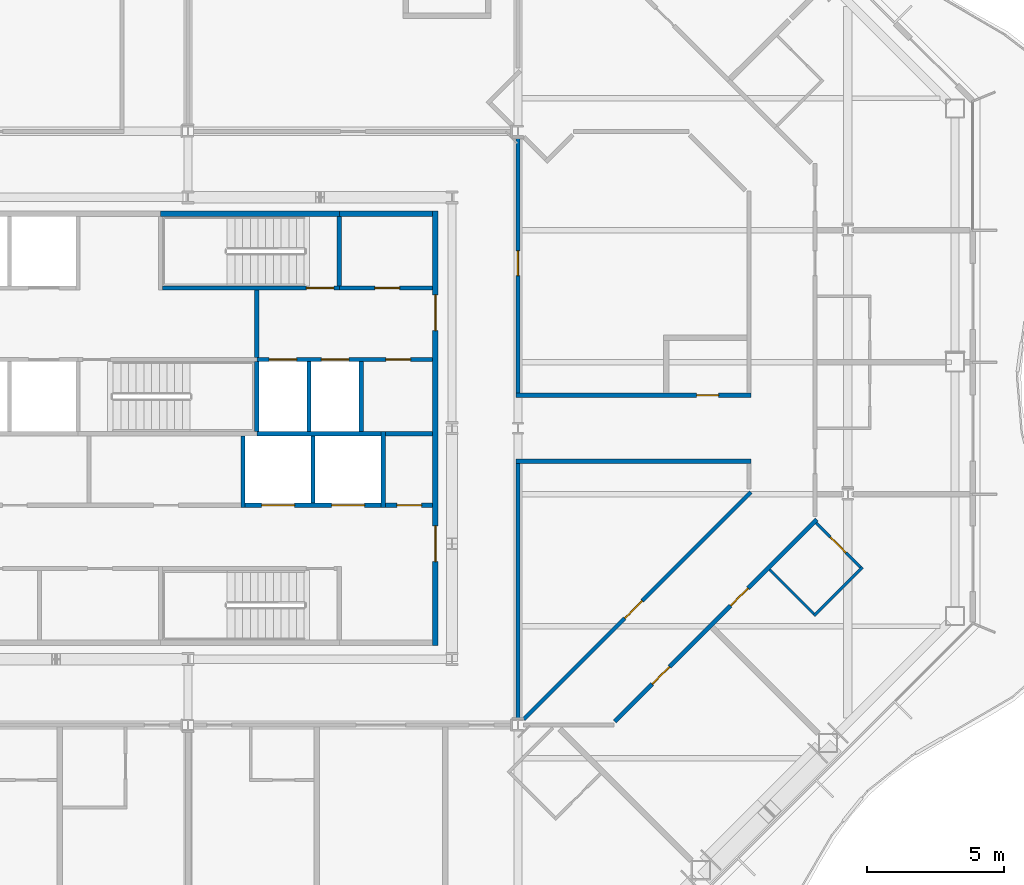
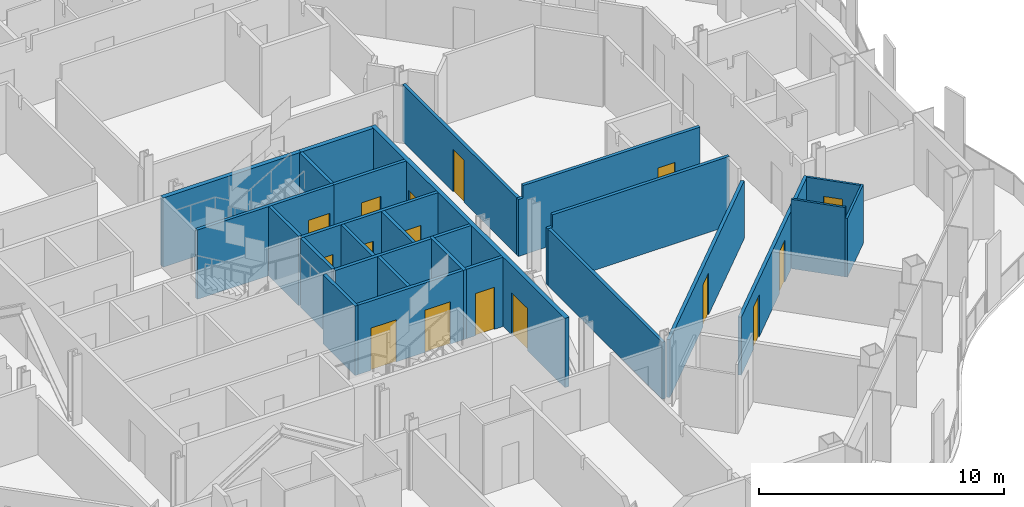
# One storey, part 10 of 21: 27 walls, 16 doors, 16 openings.
"""IFC4 building model written with IfcOpenShell, lengths in metres."""

from ifc_helpers import new_model, si_unit, direction, frame, frame_2d, origin, place, context, subcontext, project, spatial, polyline, rectangle, outline, extrude, material, layer, layer_set, type_object, element, fill, save


model = new_model("IFC4")

# Units and contexts
model_context = context("Model", 3, precision=1e-05, world=origin(), true_north=direction((0.0, 1.0)))
body_context = subcontext(model_context, "Body", "Model", "MODEL_VIEW")
ifc_project = project(units=[si_unit("LENGTHUNIT", "METRE"), si_unit("AREAUNIT", "SQUARE_METRE"), si_unit("VOLUMEUNIT", "CUBIC_METRE"), si_unit("PLANEANGLEUNIT", "RADIAN"), si_unit("MASSUNIT", "GRAM", prefix="KILO")], contexts=[model_context])

# Site, building, storey
site_placement = place(None, origin())
site = spatial("IfcSite", under=ifc_project, at=site_placement, CompositionType="ELEMENT")
building_placement = place(site_placement, origin())
building = spatial("IfcBuilding", under=site, at=building_placement, Name="Cairn Pilgrim Tower", CompositionType="ELEMENT")
storey_placement = place(building_placement, frame((0.0, 0.0, 136.199951171875)))
storey = spatial("IfcBuildingStorey", under=building, at=storey_placement, Name="L33", CompositionType="ELEMENT", Elevation=136.199951171875)

# Wall
ifc_material_1 = material(Name="Concrete C32/40", Category="concrete")
ifc_layer_1 = layer(ifc_material_1, 0.199951171875)
ifc_layer_set_1 = layer_set([ifc_layer_1], Name="CORE OUTER WALL 200 EI 120")
wall_type_1 = type_object("IfcWallType", Name="CORE OUTER WALL 200 EI 120", PredefinedType="SOLIDWALL", material=ifc_layer_set_1)
wall_1_placement = place(storey_placement, frame((12.699951171875, 10.199951171875, 0.0), z_axis=(0.0, 0.0, 1.0), x_axis=(1.0, 0.0, 0.0)))
element("IfcWall", 1, at=wall_1_placement, inside=storey, type_object=wall_type_1, Name="CW:L33:H12-3", PredefinedType="SOLIDWALL", context=body_context, shape_type="SweptSolid", body=[
    extrude(rectangle(XDim=3.400146484375, YDim=0.199951171875, at=frame_2d((1.7001953125, 0.0))), origin(), (0.0, 0.0, 1.0), 3.449951171875),
])

# Wall, openings, doors
wall_2_placement = place(storey_placement, frame((16.199951171875, -5.5, 0.0), z_axis=(0.0, 0.0, 1.0), x_axis=(0.0, 1.0, 0.0)))
wall_2 = element("IfcWall", 2, at=wall_2_placement, inside=storey, type_object=wall_type_1, Name="CW:L33:V31", PredefinedType="SOLIDWALL", context=body_context, shape_type="SweptSolid", body=[
    extrude(rectangle(XDim=15.800048828125, YDim=0.199951171875, at=frame_2d((7.89990234375, 0.0))), origin(), (0.0, 0.0, 1.0), 3.449951171875),
])
opening_1_placement = place(wall_2_placement, frame((3.050048828125, 0.0, 0.0)))
opening_1 = element("IfcOpeningElement", 3, at=opening_1_placement, cuts=wall_2, Name="Opening CD-E1", PredefinedType="OPENING", context=body_context, shape_type="SweptSolid", body=[
    extrude(rectangle(XDim=1.300048828125, YDim=2.10009765625, at=frame_2d((0.64990234375, 1.050048828125))), frame((0.0, 0.10986328125, 0.0), z_axis=(0.0, -1.0, 0.0), x_axis=(1.0, 0.0, 0.0)), (0.0, 0.0, 1.0), 0.219970703125),
])
opening_2_placement = place(wall_2_placement, frame((11.449951171875, 0.0, 0.0)))
opening_2 = element("IfcOpeningElement", 4, at=opening_2_placement, cuts=wall_2, Name="Opening CD-E2", PredefinedType="OPENING", context=body_context, shape_type="SweptSolid", body=[
    extrude(rectangle(XDim=1.300048828125, YDim=2.10009765625, at=frame_2d((0.64990234375, 1.050048828125))), frame((0.0, 0.10986328125, 0.0), z_axis=(0.0, -1.0, 0.0), x_axis=(1.0, 0.0, 0.0)), (0.0, 0.0, 1.0), 0.219970703125),
])
ifc_material_2 = material(Name="Painted steel", Category="steel")
door_type_1 = type_object("IfcDoorType", Name="CORE LOBBY DOOR 1300x2100", OperationType="DOUBLE_DOOR_SINGLE_SWING", PredefinedType="DOOR", material=ifc_material_2)
door_1_placement = place(opening_1_placement, origin())
door_1 = element("IfcDoor", 5, at=door_1_placement, inside=storey, type_object=door_type_1, Name="CD-E1", OperationType="DOUBLE_DOOR_SINGLE_SWING", OverallHeight=2.10009765625, OverallWidth=1.300048828125, PredefinedType="DOOR", context=body_context, shape_type="SweptSolid", body=[
    extrude(rectangle(XDim=1.300048828125, YDim=2.10009765625, at=frame_2d((0.64990234375, 1.050048828125))), frame((0.0, 0.02490234375, 0.0), z_axis=(0.0, -1.0, 0.0), x_axis=(1.0, 0.0, 0.0)), (0.0, 0.0, 1.0), 0.050048828125),
])
fill(opening_1, door_1)
door_2_placement = place(opening_2_placement, origin())
door_2 = element("IfcDoor", 6, at=door_2_placement, inside=storey, type_object=door_type_1, Name="CD-E2", OperationType="DOUBLE_DOOR_SINGLE_SWING", OverallHeight=2.10009765625, OverallWidth=1.300048828125, PredefinedType="DOOR", context=body_context, shape_type="SweptSolid", body=[
    extrude(rectangle(XDim=1.300048828125, YDim=2.10009765625, at=frame_2d((0.64990234375, 1.050048828125))), frame((0.0, 0.02490234375, 0.0), z_axis=(0.0, -1.0, 0.0), x_axis=(1.0, 0.0, 0.0)), (0.0, 0.0, 1.0), 0.050048828125),
])
fill(opening_2, door_2)

# Wall, opening, door
ifc_layer_2 = layer(ifc_material_1, 0.14990234375)
ifc_layer_set_2 = layer_set([ifc_layer_2], Name="CORE PARTITION 150 EI 60")
wall_type_2 = type_object("IfcWallType", Name="CORE PARTITION 150 EI 60", PredefinedType="PARTITIONING", material=ifc_layer_set_2)
wall_3_placement = place(storey_placement, frame((14.375, -0.39990234375, 0.0), z_axis=(0.0, 0.0, 1.0), x_axis=(1.0, 0.0, 0.0)))
wall_3 = element("IfcWall", 7, at=wall_3_placement, inside=storey, type_object=wall_type_2, Name="CW:L33:H06", PredefinedType="PARTITIONING", context=body_context, shape_type="SweptSolid", body=[
    extrude(rectangle(XDim=1.72509765625, YDim=0.14990234375, at=frame_2d((0.862548828125, 0.0))), origin(), (0.0, 0.0, 1.0), 3.449951171875),
])
opening_3_placement = place(wall_3_placement, frame((0.425048828125, 0.0, 0.0)))
opening_3 = element("IfcOpeningElement", 8, at=opening_3_placement, cuts=wall_3, Name="Opening RD-R2E", PredefinedType="OPENING", context=body_context, shape_type="SweptSolid", body=[
    extrude(rectangle(XDim=0.89990234375, YDim=2.10009765625, at=frame_2d((0.449951171875, 1.050048828125))), frame((0.0, 0.0849609375, 0.0), z_axis=(0.0, -1.0, 0.0), x_axis=(1.0, 0.0, 0.0)), (0.0, 0.0, 1.0), 0.169921875),
])
door_type_2 = type_object("IfcDoorType", Name="SERVICE ROOM DOOR 900x2100", OperationType="SINGLE_SWING_LEFT", PredefinedType="DOOR", material=ifc_material_2)
door_3_placement = place(opening_3_placement, origin())
door_3 = element("IfcDoor", 9, at=door_3_placement, inside=storey, type_object=door_type_2, Name="RD-R2E", OperationType="SINGLE_SWING_RIGHT", OverallHeight=2.10009765625, OverallWidth=0.89990234375, PredefinedType="DOOR", context=body_context, shape_type="SweptSolid", body=[
    extrude(rectangle(XDim=0.89990234375, YDim=2.10009765625, at=frame_2d((0.449951171875, 1.050048828125))), frame((0.0, 0.02490234375, 0.0), z_axis=(0.0, -1.0, 0.0), x_axis=(1.0, 0.0, 0.0)), (0.0, 0.0, 1.0), 0.050048828125),
])
fill(opening_3, door_3)

# Wall
wall_4_placement = place(storey_placement, frame((14.375, 2.199951171875, 0.0), z_axis=(0.0, 0.0, 1.0), x_axis=(1.0, 0.0, 0.0)))
element("IfcWall", 10, at=wall_4_placement, inside=storey, type_object=wall_type_2, Name="CW:L33:H08", PredefinedType="PARTITIONING", context=body_context, shape_type="SweptSolid", body=[
    extrude(rectangle(XDim=1.72509765625, YDim=0.14990234375, at=frame_2d((0.862548828125, 0.0))), origin(), (0.0, 0.0, 1.0), 3.449951171875),
])

# Wall, openings, doors
ifc_layer_3 = layer(ifc_material_1, 0.14990234375)
ifc_layer_set_3 = layer_set([ifc_layer_3], Name="CORE SHAFT WALL 150 EI 120")
wall_type_3 = type_object("IfcWallType", Name="CORE SHAFT WALL 150 EI 120", PredefinedType="SOLIDWALL", material=ifc_layer_set_3)
wall_5_placement = place(storey_placement, frame((9.27490234375, -0.39990234375, 0.0), z_axis=(0.0, 0.0, 1.0), x_axis=(1.0, 0.0, 0.0)))
wall_5 = element("IfcWall", 11, at=wall_5_placement, inside=storey, type_object=wall_type_3, Name="CW:L33:H05", PredefinedType="SOLIDWALL", context=body_context, shape_type="SweptSolid", body=[
    extrude(rectangle(XDim=4.9501953125, YDim=0.14990234375, at=frame_2d((2.47509765625, 0.0))), origin(), (0.0, 0.0, 1.0), 3.449951171875),
])
opening_4_placement = place(wall_5_placement, frame((0.60009765625, 0.0, 0.0)))
opening_4 = element("IfcOpeningElement", 12, at=opening_4_placement, cuts=wall_5, Name="Opening LD-SV1", PredefinedType="OPENING", context=body_context, shape_type="SweptSolid", body=[
    extrude(rectangle(XDim=1.199951171875, YDim=2.10009765625, at=frame_2d((0.60009765625, 1.050048828125))), frame((0.0, 0.0849609375, 0.0), z_axis=(0.0, -1.0, 0.0), x_axis=(1.0, 0.0, 0.0)), (0.0, 0.0, 1.0), 0.169921875),
])
opening_5_placement = place(wall_5_placement, frame((3.14990234375, 0.0, 0.0)))
opening_5 = element("IfcOpeningElement", 13, at=opening_5_placement, cuts=wall_5, Name="Opening LD-SV2", PredefinedType="OPENING", context=body_context, shape_type="SweptSolid", body=[
    extrude(rectangle(XDim=1.199951171875, YDim=2.10009765625, at=frame_2d((0.60009765625, 1.050048828125))), frame((0.0, 0.0849609375, 0.0), z_axis=(0.0, -1.0, 0.0), x_axis=(1.0, 0.0, 0.0)), (0.0, 0.0, 1.0), 0.169921875),
])
ifc_material_3 = material(Name="Stainless steel", Category="steel")
door_type_3 = type_object("IfcDoorType", Name="LIFT LANDING DOOR 1200x2100", OperationType="DOUBLE_DOOR_SLIDING", PredefinedType="DOOR", material=ifc_material_3)
door_4_placement = place(opening_4_placement, origin())
door_4 = element("IfcDoor", 14, at=door_4_placement, inside=storey, type_object=door_type_3, Name="LANDING DOOR SV1", OperationType="DOUBLE_DOOR_SLIDING", OverallHeight=2.10009765625, OverallWidth=1.199951171875, PredefinedType="DOOR", context=body_context, shape_type="SweptSolid", body=[
    extrude(rectangle(XDim=1.199951171875, YDim=2.10009765625, at=frame_2d((0.60009765625, 1.050048828125))), frame((0.0, 0.02490234375, 0.0), z_axis=(0.0, -1.0, 0.0), x_axis=(1.0, 0.0, 0.0)), (0.0, 0.0, 1.0), 0.050048828125),
])
fill(opening_4, door_4)
door_5_placement = place(opening_5_placement, origin())
door_5 = element("IfcDoor", 15, at=door_5_placement, inside=storey, type_object=door_type_3, Name="LANDING DOOR SV2", OperationType="DOUBLE_DOOR_SLIDING", OverallHeight=2.10009765625, OverallWidth=1.199951171875, PredefinedType="DOOR", context=body_context, shape_type="SweptSolid", body=[
    extrude(rectangle(XDim=1.199951171875, YDim=2.10009765625, at=frame_2d((0.60009765625, 1.050048828125))), frame((0.0, 0.02490234375, 0.0), z_axis=(0.0, -1.0, 0.0), x_axis=(1.0, 0.0, 0.0)), (0.0, 0.0, 1.0), 0.050048828125),
])
fill(opening_5, door_5)

# Wall
wall_6_placement = place(storey_placement, frame((9.699951171875, 2.199951171875, 0.0), z_axis=(0.0, 0.0, 1.0), x_axis=(1.0, 0.0, 0.0)))
element("IfcWall", 16, at=wall_6_placement, inside=storey, type_object=wall_type_3, Name="CW:L33:H07-3", PredefinedType="SOLIDWALL", context=body_context, shape_type="SweptSolid", body=[
    extrude(rectangle(XDim=4.525146484375, YDim=0.14990234375, at=frame_2d((2.2626953125, 0.0))), origin(), (0.0, 0.0, 1.0), 3.449951171875),
])

# Wall, openings, doors
wall_7_placement = place(storey_placement, frame((9.699951171875, 4.89990234375, 0.0), z_axis=(0.0, 0.0, 1.0), x_axis=(1.0, 0.0, 0.0)))
wall_7 = element("IfcWall", 17, at=wall_7_placement, inside=storey, type_object=wall_type_3, Name="CW:L33:H09-3", PredefinedType="SOLIDWALL", context=body_context, shape_type="SweptSolid", body=[
    extrude(rectangle(XDim=6.400146484375, YDim=0.14990234375, at=frame_2d((3.2001953125, 0.0))), origin(), (0.0, 0.0, 1.0), 3.449951171875),
])
opening_6_placement = place(wall_7_placement, frame((0.449951171875, 0.0, 0.0)))
opening_6 = element("IfcOpeningElement", 18, at=opening_6_placement, cuts=wall_7, Name="Opening LD-FF1", PredefinedType="OPENING", context=body_context, shape_type="SweptSolid", body=[
    extrude(rectangle(XDim=1.0, YDim=2.10009765625, at=frame_2d((0.5, 1.050048828125))), frame((0.0, 0.0849609375, 0.0), z_axis=(0.0, -1.0, 0.0), x_axis=(1.0, 0.0, 0.0)), (0.0, 0.0, 1.0), 0.169921875),
])
opening_7_placement = place(wall_7_placement, frame((2.35009765625, 0.0, 0.0)))
opening_7 = element("IfcOpeningElement", 19, at=opening_7_placement, cuts=wall_7, Name="Opening LD-FF2", PredefinedType="OPENING", context=body_context, shape_type="SweptSolid", body=[
    extrude(rectangle(XDim=1.0, YDim=2.10009765625, at=frame_2d((0.5, 1.050048828125))), frame((0.0, 0.0849609375, 0.0), z_axis=(0.0, -1.0, 0.0), x_axis=(1.0, 0.0, 0.0)), (0.0, 0.0, 1.0), 0.169921875),
])
opening_8_placement = place(wall_7_placement, frame((4.699951171875, 0.0, 0.0)))
opening_8 = element("IfcOpeningElement", 20, at=opening_8_placement, cuts=wall_7, Name="Opening RD-R3E", PredefinedType="OPENING", context=body_context, shape_type="SweptSolid", body=[
    extrude(rectangle(XDim=0.89990234375, YDim=2.10009765625, at=frame_2d((0.449951171875, 1.050048828125))), frame((0.0, 0.0849609375, 0.0), z_axis=(0.0, -1.0, 0.0), x_axis=(1.0, 0.0, 0.0)), (0.0, 0.0, 1.0), 0.169921875),
])
door_type_4 = type_object("IfcDoorType", Name="LIFT LANDING DOOR FIRE 1000x2100", OperationType="DOUBLE_DOOR_SLIDING", PredefinedType="DOOR", material=ifc_material_3)
door_6_placement = place(opening_6_placement, origin())
door_6 = element("IfcDoor", 21, at=door_6_placement, inside=storey, type_object=door_type_4, Name="LANDING DOOR FF1", OperationType="DOUBLE_DOOR_SLIDING", OverallHeight=2.10009765625, OverallWidth=1.0, PredefinedType="DOOR", context=body_context, shape_type="SweptSolid", body=[
    extrude(rectangle(XDim=1.0, YDim=2.10009765625, at=frame_2d((0.5, 1.050048828125))), frame((0.0, 0.02490234375, 0.0), z_axis=(0.0, -1.0, 0.0), x_axis=(1.0, 0.0, 0.0)), (0.0, 0.0, 1.0), 0.050048828125),
])
fill(opening_6, door_6)
door_7_placement = place(opening_7_placement, origin())
door_7 = element("IfcDoor", 22, at=door_7_placement, inside=storey, type_object=door_type_4, Name="LANDING DOOR FF2", OperationType="DOUBLE_DOOR_SLIDING", OverallHeight=2.10009765625, OverallWidth=1.0, PredefinedType="DOOR", context=body_context, shape_type="SweptSolid", body=[
    extrude(rectangle(XDim=1.0, YDim=2.10009765625, at=frame_2d((0.5, 1.050048828125))), frame((0.0, 0.02490234375, 0.0), z_axis=(0.0, -1.0, 0.0), x_axis=(1.0, 0.0, 0.0)), (0.0, 0.0, 1.0), 0.050048828125),
])
fill(opening_7, door_7)
door_8_placement = place(opening_8_placement, origin())
door_8 = element("IfcDoor", 23, at=door_8_placement, inside=storey, type_object=door_type_2, Name="RD-R3E", OperationType="SINGLE_SWING_LEFT", OverallHeight=2.10009765625, OverallWidth=0.89990234375, PredefinedType="DOOR", context=body_context, shape_type="SweptSolid", body=[
    extrude(rectangle(XDim=0.89990234375, YDim=2.10009765625, at=frame_2d((0.449951171875, 1.050048828125))), frame((0.0, 0.02490234375, 0.0), z_axis=(0.0, -1.0, 0.0), x_axis=(1.0, 0.0, 0.0)), (0.0, 0.0, 1.0), 0.050048828125),
])
fill(opening_8, door_8)

# Wall, opening, door
wall_8_placement = place(storey_placement, frame((12.699951171875, 7.5, 0.0), z_axis=(0.0, 0.0, 1.0), x_axis=(1.0, 0.0, 0.0)))
wall_8 = element("IfcWall", 24, at=wall_8_placement, inside=storey, type_object=wall_type_3, Name="CW:L33:H11-2", PredefinedType="SOLIDWALL", context=body_context, shape_type="SweptSolid", body=[
    extrude(rectangle(XDim=3.400146484375, YDim=0.14990234375, at=frame_2d((1.7001953125, 0.0))), origin(), (0.0, 0.0, 1.0), 3.449951171875),
])
opening_9_placement = place(wall_8_placement, frame((1.300048828125, 0.0, 0.0)))
opening_9 = element("IfcOpeningElement", 25, at=opening_9_placement, cuts=wall_8, Name="Opening RD-R4E", PredefinedType="OPENING", context=body_context, shape_type="SweptSolid", body=[
    extrude(rectangle(XDim=0.89990234375, YDim=2.10009765625, at=frame_2d((0.449951171875, 1.050048828125))), frame((0.0, 0.0849609375, 0.0), z_axis=(0.0, -1.0, 0.0), x_axis=(1.0, 0.0, 0.0)), (0.0, 0.0, 1.0), 0.169921875),
])
door_9_placement = place(opening_9_placement, origin())
door_9 = element("IfcDoor", 26, at=door_9_placement, inside=storey, type_object=door_type_2, Name="RD-R4E", OperationType="SINGLE_SWING_RIGHT", OverallHeight=2.10009765625, OverallWidth=0.89990234375, PredefinedType="DOOR", context=body_context, shape_type="SweptSolid", body=[
    extrude(rectangle(XDim=0.89990234375, YDim=2.10009765625, at=frame_2d((0.449951171875, 1.050048828125))), frame((0.0, 0.02490234375, 0.0), z_axis=(0.0, -1.0, 0.0), x_axis=(1.0, 0.0, 0.0)), (0.0, 0.0, 1.0), 0.050048828125),
])
fill(opening_9, door_9)

# Walls
wall_9_placement = place(storey_placement, frame((9.199951171875, -0.47509765625, 0.0), z_axis=(0.0, 0.0, 1.0), x_axis=(0.0, 1.0, 0.0)))
element("IfcWall", 27, at=wall_9_placement, inside=storey, type_object=wall_type_3, Name="CW:L33:V22", PredefinedType="SOLIDWALL", context=body_context, shape_type="SweptSolid", body=[
    extrude(rectangle(XDim=2.60009765625, YDim=0.14990234375, at=frame_2d((1.300048828125, 0.0))), origin(), (0.0, 0.0, 1.0), 3.449951171875),
])
wall_10_placement = place(storey_placement, frame((9.699951171875, 4.97509765625, 0.0), z_axis=(0.0, 0.0, 1.0), x_axis=(0.0, 1.0, 0.0)))
element("IfcWall", 28, at=wall_10_placement, inside=storey, type_object=wall_type_3, Name="CW:L33:V24", PredefinedType="SOLIDWALL", context=body_context, shape_type="SweptSolid", body=[
    extrude(rectangle(XDim=2.449951171875, YDim=0.14990234375, at=frame_2d((1.22509765625, 0.0))), origin(), (0.0, 0.0, 1.0), 3.449951171875),
])
wall_11_placement = place(storey_placement, frame((11.60009765625, 2.27490234375, 0.0), z_axis=(0.0, 0.0, 1.0), x_axis=(0.0, 1.0, 0.0)))
element("IfcWall", 29, at=wall_11_placement, inside=storey, type_object=wall_type_3, Name="CW:L33:V25", PredefinedType="SOLIDWALL", context=body_context, shape_type="SweptSolid", body=[
    extrude(rectangle(XDim=2.550048828125, YDim=0.14990234375, at=frame_2d((1.27490234375, 0.0))), origin(), (0.0, 0.0, 1.0), 3.449951171875),
])
wall_12_placement = place(storey_placement, frame((11.75, -0.324951171875, 0.0), z_axis=(0.0, 0.0, 1.0), x_axis=(0.0, 1.0, 0.0)))
element("IfcWall", 30, at=wall_12_placement, inside=storey, type_object=wall_type_3, Name="CW:L33:V26", PredefinedType="SOLIDWALL", context=body_context, shape_type="SweptSolid", body=[
    extrude(rectangle(XDim=2.449951171875, YDim=0.14990234375, at=frame_2d((1.22509765625, 0.0))), origin(), (0.0, 0.0, 1.0), 3.449951171875),
])
wall_13_placement = place(storey_placement, frame((13.5, 2.27490234375, 0.0), z_axis=(0.0, 0.0, 1.0), x_axis=(0.0, 1.0, 0.0)))
element("IfcWall", 31, at=wall_13_placement, inside=storey, type_object=wall_type_3, Name="CW:L33:V29", PredefinedType="SOLIDWALL", context=body_context, shape_type="SweptSolid", body=[
    extrude(rectangle(XDim=2.550048828125, YDim=0.14990234375, at=frame_2d((1.27490234375, 0.0))), origin(), (0.0, 0.0, 1.0), 3.449951171875),
])
wall_14_placement = place(storey_placement, frame((14.300048828125, -0.47509765625, 0.0), z_axis=(0.0, 0.0, 1.0), x_axis=(0.0, 1.0, 0.0)))
element("IfcWall", 32, at=wall_14_placement, inside=storey, type_object=wall_type_3, Name="CW:L33:V30", PredefinedType="SOLIDWALL", context=body_context, shape_type="SweptSolid", body=[
    extrude(rectangle(XDim=2.75, YDim=0.14990234375, at=frame_2d((1.375, 0.0))), origin(), (0.0, 0.0, 1.0), 3.449951171875),
])
ifc_material_4 = material(Name="Gypsum partition")
ifc_layer_4 = layer(ifc_material_4, 0.10009765625)
ifc_layer_set_4 = layer_set([ifc_layer_4], Name="PARTITION 100 DRYWALL")
wall_type_4 = type_object("IfcWallType", Name="PARTITION 100 DRYWALL", PredefinedType="PARTITIONING", material=ifc_layer_set_4)
wall_15_placement = place(storey_placement, frame((29.964599609375, -4.3525390625, 0.0), z_axis=(0.0, 0.0, 1.0), x_axis=(-0.707106781187, 0.707106781187, 0.0)))
element("IfcWall", 33, at=wall_15_placement, inside=storey, type_object=wall_type_4, Name="PARTITION W037", PredefinedType="PARTITIONING", context=body_context, shape_type="SweptSolid", body=[
    extrude(rectangle(XDim=2.27490234375, YDim=0.10009765625, at=frame_2d((1.137451171875, 0.0))), origin(), (0.0, 0.0, 1.0), 3.449951171875),
])
wall_16_placement = place(storey_placement, frame((29.964599609375, -4.42333984375, 0.0), z_axis=(0.0, 0.0, 1.0), x_axis=(0.707155609469, 0.707057949532, 0.0)))
element("IfcWall", 34, at=wall_16_placement, inside=storey, type_object=wall_type_4, Name="PARTITION W038", PredefinedType="PARTITIONING", context=body_context, shape_type="SweptSolid", body=[
    extrude(rectangle(XDim=2.5, YDim=0.10009765625, at=frame_2d((1.25, 0.0))), origin(), (0.0, 0.0, 1.0), 2.929931640625),
])

# Wall, opening, door
wall_17_placement = place(storey_placement, frame((31.66162109375, -2.655517578125, 0.0), z_axis=(0.0, 0.0, 1.0), x_axis=(-0.707160441348, 0.707053116953, 0.0)))
wall_17 = element("IfcWall", 35, at=wall_17_placement, inside=storey, type_object=wall_type_4, Name="PARTITION W040", PredefinedType="PARTITIONING", context=body_context, shape_type="SweptSolid", body=[
    extrude(rectangle(XDim=2.27490234375, YDim=0.10009765625, at=frame_2d((1.137451171875, 0.0))), origin(), (0.0, 0.0, 1.0), 2.929931640625),
])
opening_10_placement = place(wall_17_placement, frame((0.75, 0.0, 0.0)))
opening_10 = element("IfcOpeningElement", 36, at=opening_10_placement, cuts=wall_17, Name="Opening 3305A", PredefinedType="OPENING", context=body_context, shape_type="SweptSolid", body=[
    extrude(rectangle(XDim=0.800048828125, YDim=2.10009765625, at=frame_2d((0.39990234375, 1.050048828125))), frame((0.0, 0.06005859375, 0.0), z_axis=(0.0, -1.0, 0.0), x_axis=(1.0, 0.0, 0.0)), (0.0, 0.0, 1.0), 0.1201171875),
])
ifc_material_5 = material(Name="Timber door leaf", Category="wood")
door_type_5 = type_object("IfcDoorType", Name="WC DOOR 800x2100", OperationType="NOTDEFINED", PredefinedType="DOOR", material=ifc_material_5)
door_10_placement = place(opening_10_placement, frame((0.800048828125, 0.0, 0.0), z_axis=(0.0, 0.0, 1.0), x_axis=(-1.0, 0.0, 0.0)))
door_10 = element("IfcDoor", 37, at=door_10_placement, inside=storey, type_object=door_type_5, Name="DOOR 3305A", OperationType="SINGLE_SWING_LEFT", OverallHeight=2.10009765625, OverallWidth=0.800048828125, PredefinedType="DOOR", context=body_context, shape_type="SweptSolid", body=[
    extrude(rectangle(XDim=0.800048828125, YDim=2.10009765625, at=frame_2d((0.39990234375, 1.050048828125))), frame((0.0, 0.02490234375, 0.0), z_axis=(0.0, -1.0, 0.0), x_axis=(1.0, 0.0, 0.0)), (0.0, 0.0, 1.0), 0.050048828125),
])
fill(opening_10, door_10)

# Wall, openings, doors
ifc_layer_5 = layer(ifc_material_4, 0.14990234375)
ifc_layer_set_5 = layer_set([ifc_layer_5], Name="PARTITION 150 DRYWALL EI 60")
wall_type_5 = type_object("IfcWallType", Name="PARTITION 150 DRYWALL EI 60", PredefinedType="PARTITIONING", material=ifc_layer_set_5)
wall_18_placement = place(storey_placement, frame((22.721923828125, -8.27197265625, 0.0), z_axis=(0.0, 0.0, 1.0), x_axis=(0.707106781187, 0.707106781187, 0.0)))
wall_18 = element("IfcWall", 38, at=wall_18_placement, inside=storey, type_object=wall_type_5, Name="PARTITION W030", PredefinedType="PARTITIONING", context=body_context, shape_type="SweptSolid", body=[
    extrude(rectangle(XDim=10.398681640625, YDim=0.14990234375, at=frame_2d((5.19921875, 0.0))), origin(), (0.0, 0.0, 1.0), 2.880126953125),
])
opening_11_placement = place(wall_18_placement, frame((1.92529296875, 0.0, 0.0)))
opening_11 = element("IfcOpeningElement", 39, at=opening_11_placement, cuts=wall_18, Name="Opening 3304", PredefinedType="OPENING", context=body_context, shape_type="SweptSolid", body=[
    extrude(rectangle(XDim=0.89990234375, YDim=2.10009765625, at=frame_2d((0.449951171875, 1.050048828125))), frame((0.0, 0.0849609375, 0.0), z_axis=(0.0, -1.0, 0.0), x_axis=(1.0, 0.0, 0.0)), (0.0, 0.0, 1.0), 0.169921875),
])
opening_12_placement = place(wall_18_placement, frame((5.962646484375, 0.0, 0.0)))
opening_12 = element("IfcOpeningElement", 40, at=opening_12_placement, cuts=wall_18, Name="Opening 3305", PredefinedType="OPENING", context=body_context, shape_type="SweptSolid", body=[
    extrude(rectangle(XDim=0.89990234375, YDim=2.10009765625, at=frame_2d((0.449951171875, 1.050048828125))), frame((0.0, 0.0849609375, 0.0), z_axis=(0.0, -1.0, 0.0), x_axis=(1.0, 0.0, 0.0)), (0.0, 0.0, 1.0), 0.169921875),
])
door_type_6 = type_object("IfcDoorType", Name="ROOM DOOR 900x2100 FD30S", OperationType="NOTDEFINED", PredefinedType="DOOR", material=ifc_material_5)
door_11_placement = place(opening_12_placement, frame((0.89990234375, 0.0, 0.0), z_axis=(0.0, 0.0, 1.0), x_axis=(-1.0, 0.0, 0.0)))
door_11 = element("IfcDoor", 41, at=door_11_placement, inside=storey, type_object=door_type_6, Name="DOOR 3305", OperationType="SINGLE_SWING_LEFT", OverallHeight=2.10009765625, OverallWidth=0.89990234375, PredefinedType="DOOR", context=body_context, shape_type="SweptSolid", body=[
    extrude(rectangle(XDim=0.89990234375, YDim=2.10009765625, at=frame_2d((0.449951171875, 1.050048828125))), frame((0.0, 0.02490234375, 0.0), z_axis=(0.0, -1.0, 0.0), x_axis=(1.0, 0.0, 0.0)), (0.0, 0.0, 1.0), 0.050048828125),
])
fill(opening_12, door_11)
door_type_7 = type_object("IfcDoorType", Name="SERVICE DOOR 900x2100 FD30S", OperationType="NOTDEFINED", PredefinedType="DOOR", material=ifc_material_5)
door_12_placement = place(opening_11_placement, frame((0.89990234375, 0.0, 0.0), z_axis=(0.0, 0.0, 1.0), x_axis=(-1.0, 0.0, 0.0)))
door_12 = element("IfcDoor", 42, at=door_12_placement, inside=storey, type_object=door_type_7, Name="DOOR 3304", OperationType="SINGLE_SWING_LEFT", OverallHeight=2.10009765625, OverallWidth=0.89990234375, PredefinedType="DOOR", context=body_context, shape_type="SweptSolid", body=[
    extrude(rectangle(XDim=0.89990234375, YDim=2.10009765625, at=frame_2d((0.449951171875, 1.050048828125))), frame((0.0, 0.02490234375, 0.0), z_axis=(0.0, -1.0, 0.0), x_axis=(1.0, 0.0, 0.0)), (0.0, 0.0, 1.0), 0.050048828125),
])
fill(opening_11, door_12)

# Wall
wall_19_placement = place(storey_placement, frame((19.199951171875, -8.1875, 0.0), z_axis=(0.0, 0.0, 1.0), x_axis=(0.0, 1.0, 0.0)))
element("IfcWall", 43, at=wall_19_placement, inside=storey, type_object=wall_type_5, Name="PARTITION W033", PredefinedType="PARTITIONING", context=body_context, shape_type="SweptSolid", body=[
    extrude(rectangle(XDim=9.3125, YDim=0.14990234375, at=frame_2d((4.65625, 0.0))), origin(), (0.0, 0.0, 1.0), 2.830078125),
])

# Wall, opening, door
wall_20_placement = place(storey_placement, frame((19.408447265625, -8.19140625, 0.0), z_axis=(0.0, 0.0, 1.0), x_axis=(0.707117222888, 0.707096339331, 0.0)))
wall_20 = element("IfcWall", 44, at=wall_20_placement, inside=storey, type_object=wall_type_5, Name="PARTITION W034", PredefinedType="PARTITIONING", context=body_context, shape_type="SweptSolid", body=[
    extrude(rectangle(XDim=11.690673828125, YDim=0.14990234375, at=frame_2d((5.84521484375, 0.0))), origin(), (0.0, 0.0, 1.0), 2.880126953125),
])
opening_13_placement = place(wall_20_placement, frame((5.195068359375, 0.0, 0.0)))
opening_13 = element("IfcOpeningElement", 45, at=opening_13_placement, cuts=wall_20, Name="Opening 3325", PredefinedType="OPENING", context=body_context, shape_type="SweptSolid", body=[
    extrude(rectangle(XDim=0.89990234375, YDim=2.10009765625, at=frame_2d((0.449951171875, 1.050048828125))), frame((0.0, 0.0849609375, 0.0), z_axis=(0.0, -1.0, 0.0), x_axis=(1.0, 0.0, 0.0)), (0.0, 0.0, 1.0), 0.169921875),
])
door_13_placement = place(opening_13_placement, origin())
door_13 = element("IfcDoor", 46, at=door_13_placement, inside=storey, type_object=door_type_7, Name="DOOR 3325", OperationType="SINGLE_SWING_LEFT", OverallHeight=2.10009765625, OverallWidth=0.89990234375, PredefinedType="DOOR", context=body_context, shape_type="SweptSolid", body=[
    extrude(rectangle(XDim=0.89990234375, YDim=2.10009765625, at=frame_2d((0.449951171875, 1.050048828125))), frame((0.0, 0.02490234375, 0.0), z_axis=(0.0, -1.0, 0.0), x_axis=(1.0, 0.0, 0.0)), (0.0, 0.0, 1.0), 0.050048828125),
])
fill(opening_13, door_13)

# Wall
wall_21_placement = place(storey_placement, frame((19.125, 1.199951171875, 0.0), z_axis=(0.0, 0.0, 1.0), x_axis=(1.0, 0.0, 0.0)))
element("IfcWall", 47, at=wall_21_placement, inside=storey, type_object=wall_type_5, Name="PARTITION W048", PredefinedType="PARTITIONING", context=body_context, shape_type="SweptSolid", body=[
    extrude(outline(polyline([(0.0, 0.0), (8.550048828125, 0.0), (8.550048828125, 3.449951171875), (0.22509765625, 3.449951171875), (0.222900390625, 2.830078125), (0.0, 2.830078125), (0.0, 0.0)])), frame((0.0, 0.074951171875, 0.0), z_axis=(0.0, -1.0, 0.0), x_axis=(1.0, 0.0, 0.0)), (0.0, 0.0, 1.0), 0.14990234375),
])

# Wall, opening, door
wall_22_placement = place(storey_placement, frame((19.125, 3.60009765625, 0.0), z_axis=(0.0, 0.0, 1.0), x_axis=(1.0, 0.0, 0.0)))
wall_22 = element("IfcWall", 48, at=wall_22_placement, inside=storey, type_object=wall_type_5, Name="PARTITION W052", PredefinedType="PARTITIONING", context=body_context, shape_type="SweptSolid", body=[
    extrude(outline(polyline([(0.0, 0.0), (8.550048828125, 0.0), (8.550048828125, 3.449951171875), (0.22509765625, 3.449951171875), (0.222900390625, 2.830078125), (0.0, 2.830078125), (0.0, 0.0)])), frame((0.0, 0.074951171875, 0.0), z_axis=(0.0, -1.0, 0.0), x_axis=(1.0, 0.0, 0.0)), (0.0, 0.0, 1.0), 0.14990234375),
])
opening_14_placement = place(wall_22_placement, frame((6.574951171875, 0.0, 0.0)))
opening_14 = element("IfcOpeningElement", 49, at=opening_14_placement, cuts=wall_22, Name="Opening 3324", PredefinedType="OPENING", context=body_context, shape_type="SweptSolid", body=[
    extrude(rectangle(XDim=0.800048828125, YDim=2.10009765625, at=frame_2d((0.39990234375, 1.050048828125))), frame((0.0, 0.0849609375, 0.0), z_axis=(0.0, -1.0, 0.0), x_axis=(1.0, 0.0, 0.0)), (0.0, 0.0, 1.0), 0.169921875),
])
door_type_8 = type_object("IfcDoorType", Name="WC DOOR 800x2100 FD30S", OperationType="NOTDEFINED", PredefinedType="DOOR", material=ifc_material_5)
door_14_placement = place(opening_14_placement, origin())
door_14 = element("IfcDoor", 50, at=door_14_placement, inside=storey, type_object=door_type_8, Name="DOOR 3324", OperationType="SINGLE_SWING_LEFT", OverallHeight=2.10009765625, OverallWidth=0.800048828125, PredefinedType="DOOR", context=body_context, shape_type="SweptSolid", body=[
    extrude(rectangle(XDim=0.800048828125, YDim=2.10009765625, at=frame_2d((0.39990234375, 1.050048828125))), frame((0.0, 0.02490234375, 0.0), z_axis=(0.0, -1.0, 0.0), x_axis=(1.0, 0.0, 0.0)), (0.0, 0.0, 1.0), 0.050048828125),
])
fill(opening_14, door_14)

wall_23_placement = place(storey_placement, frame((19.199951171875, 3.675048828125, 0.0), z_axis=(0.0, 0.0, 1.0), x_axis=(0.0, 1.0, 0.0)))
wall_23 = element("IfcWall", 51, at=wall_23_placement, inside=storey, type_object=wall_type_5, Name="PARTITION W055", PredefinedType="PARTITIONING", context=body_context, shape_type="SweptSolid", body=[
    extrude(rectangle(XDim=9.3125, YDim=0.14990234375, at=frame_2d((4.65625, 0.0))), origin(), (0.0, 0.0, 1.0), 2.830078125),
])
opening_15_placement = place(wall_23_placement, frame((4.27490234375, 0.0, 0.0)))
opening_15 = element("IfcOpeningElement", 52, at=opening_15_placement, cuts=wall_23, Name="Opening 3326", PredefinedType="OPENING", context=body_context, shape_type="SweptSolid", body=[
    extrude(rectangle(XDim=0.89990234375, YDim=2.10009765625, at=frame_2d((0.449951171875, 1.050048828125))), frame((0.0, 0.0849609375, 0.0), z_axis=(0.0, -1.0, 0.0), x_axis=(1.0, 0.0, 0.0)), (0.0, 0.0, 1.0), 0.169921875),
])
door_15_placement = place(opening_15_placement, frame((0.89990234375, 0.0, 0.0), z_axis=(0.0, 0.0, 1.0), x_axis=(-1.0, 0.0, 0.0)))
door_15 = element("IfcDoor", 53, at=door_15_placement, inside=storey, type_object=door_type_7, Name="DOOR 3326", OperationType="SINGLE_SWING_LEFT", OverallHeight=2.10009765625, OverallWidth=0.89990234375, PredefinedType="DOOR", context=body_context, shape_type="SweptSolid", body=[
    extrude(rectangle(XDim=0.89990234375, YDim=2.10009765625, at=frame_2d((0.449951171875, 1.050048828125))), frame((0.0, 0.02490234375, 0.0), z_axis=(0.0, -1.0, 0.0), x_axis=(1.0, 0.0, 0.0)), (0.0, 0.0, 1.0), 0.050048828125),
])
fill(opening_15, door_15)

ifc_material_6 = material(Name="Concrete C35/45", Category="concrete")
ifc_layer_6 = layer(ifc_material_6, 0.14990234375)
ifc_layer_set_6 = layer_set([ifc_layer_6], Name="STAIR SHAFT WALL 150 EI 120")
wall_type_6 = type_object("IfcWallType", Name="STAIR SHAFT WALL 150 EI 120", PredefinedType="SOLIDWALL", material=ifc_layer_set_6)
wall_24_placement = place(storey_placement, frame((6.27490234375, 7.5, 0.0), z_axis=(0.0, 0.0, 1.0), x_axis=(1.0, 0.0, 0.0)))
wall_24 = element("IfcWall", 54, at=wall_24_placement, inside=storey, type_object=wall_type_6, Name="CW:L33:H11-1", PredefinedType="SOLIDWALL", context=body_context, shape_type="SweptSolid", body=[
    extrude(rectangle(XDim=6.425048828125, YDim=0.14990234375, at=frame_2d((3.21240234375, 0.0))), origin(), (0.0, 0.0, 1.0), 3.449951171875),
])
opening_16_placement = place(wall_24_placement, frame((5.22509765625, 0.0, 0.0)))
opening_16 = element("IfcOpeningElement", 55, at=opening_16_placement, cuts=wall_24, Name="Opening SD-C", PredefinedType="OPENING", context=body_context, shape_type="SweptSolid", body=[
    extrude(rectangle(XDim=1.0, YDim=2.10009765625, at=frame_2d((0.5, 1.050048828125))), frame((0.0, 0.0849609375, 0.0), z_axis=(0.0, -1.0, 0.0), x_axis=(1.0, 0.0, 0.0)), (0.0, 0.0, 1.0), 0.169921875),
])
door_type_9 = type_object("IfcDoorType", Name="STAIR DOOR FD60S 1000x2100", OperationType="SINGLE_SWING_LEFT", PredefinedType="DOOR", material=ifc_material_2)
door_16_placement = place(opening_16_placement, origin())
door_16 = element("IfcDoor", 56, at=door_16_placement, inside=storey, type_object=door_type_9, Name="SD-C", OperationType="SINGLE_SWING_LEFT", OverallHeight=2.10009765625, OverallWidth=1.0, PredefinedType="DOOR", context=body_context, shape_type="SweptSolid", body=[
    extrude(rectangle(XDim=1.0, YDim=2.10009765625, at=frame_2d((0.5, 1.050048828125))), frame((0.0, 0.02490234375, 0.0), z_axis=(0.0, -1.0, 0.0), x_axis=(1.0, 0.0, 0.0)), (0.0, 0.0, 1.0), 0.050048828125),
])
fill(opening_16, door_16)

# Walls
wall_25_placement = place(storey_placement, frame((9.699951171875, 2.27490234375, 0.0), z_axis=(0.0, 0.0, 1.0), x_axis=(0.0, 1.0, 0.0)))
element("IfcWall", 57, at=wall_25_placement, inside=storey, type_object=wall_type_6, Name="CW:L33:V23", PredefinedType="SOLIDWALL", context=body_context, shape_type="SweptSolid", body=[
    extrude(rectangle(XDim=2.550048828125, YDim=0.14990234375, at=frame_2d((1.27490234375, 0.0))), origin(), (0.0, 0.0, 1.0), 3.449951171875),
])
wall_26_placement = place(storey_placement, frame((12.699951171875, 7.574951171875, 0.0), z_axis=(0.0, 0.0, 1.0), x_axis=(0.0, 1.0, 0.0)))
element("IfcWall", 58, at=wall_26_placement, inside=storey, type_object=wall_type_6, Name="CW:L33:V28", PredefinedType="SOLIDWALL", context=body_context, shape_type="SweptSolid", body=[
    extrude(rectangle(XDim=2.525146484375, YDim=0.14990234375, at=frame_2d((1.2626953125, 0.0))), origin(), (0.0, 0.0, 1.0), 3.449951171875),
])
ifc_layer_7 = layer(ifc_material_6, 0.199951171875)
ifc_layer_set_7 = layer_set([ifc_layer_7], Name="STAIR SHAFT WALL 200 EI 120")
wall_type_7 = type_object("IfcWallType", Name="STAIR SHAFT WALL 200 EI 120", PredefinedType="SOLIDWALL", material=ifc_layer_set_7)
wall_27_placement = place(storey_placement, frame((6.199951171875, 10.199951171875, 0.0), z_axis=(0.0, 0.0, 1.0), x_axis=(1.0, 0.0, 0.0)))
element("IfcWall", 59, at=wall_27_placement, inside=storey, type_object=wall_type_7, Name="CW:L33:H12-2", PredefinedType="SOLIDWALL", context=body_context, shape_type="SweptSolid", body=[
    extrude(rectangle(XDim=6.5, YDim=0.199951171875, at=frame_2d((3.25, 0.0))), origin(), (0.0, 0.0, 1.0), 3.449951171875),
])

save(model, "model.ifc")
